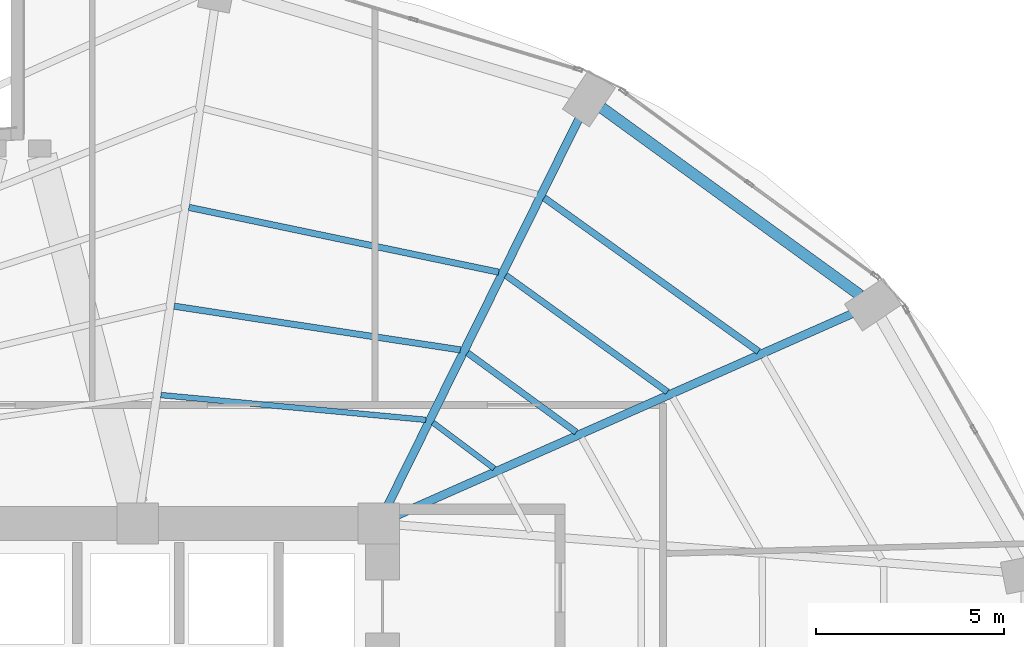
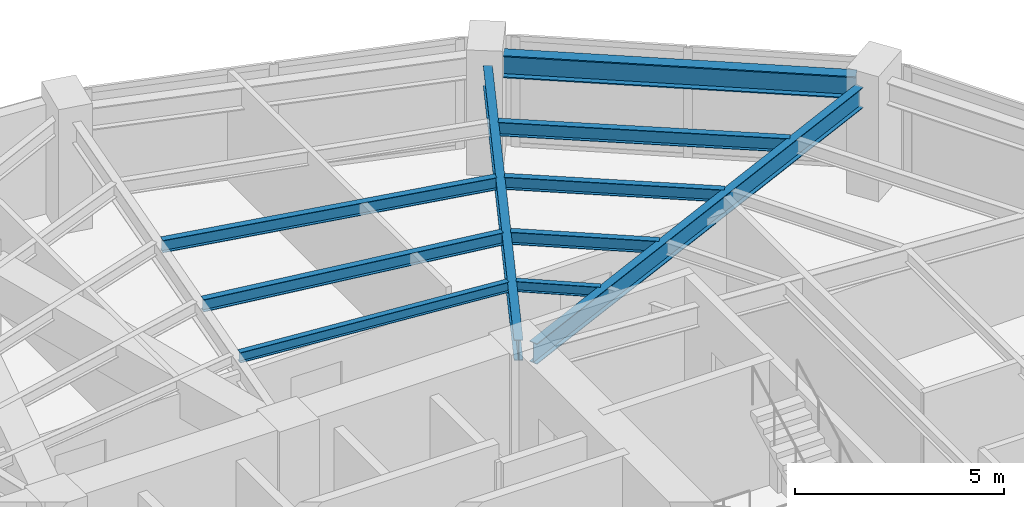
# One storey, part 16 of 24: 10 beams.
"""IFC4 building model written with IfcOpenShell, lengths in metres."""

from ifc_helpers import new_model, si_unit, direction, frame, origin, origin_2d, place, context, subcontext, project, spatial, i_section, extrude, material, material_profile, profile_set, type_object, element, save


model = new_model("IFC4")

# Units and contexts
model_context = context("Model", 3, precision=1e-05, world=origin(), true_north=direction((0.0, 1.0)))
body_context = subcontext(model_context, "Body", "Model", "MODEL_VIEW")
ifc_project = project(units=[si_unit("LENGTHUNIT", "METRE"), si_unit("AREAUNIT", "SQUARE_METRE"), si_unit("VOLUMEUNIT", "CUBIC_METRE"), si_unit("PLANEANGLEUNIT", "RADIAN"), si_unit("MASSUNIT", "GRAM", prefix="KILO")], contexts=[model_context])

# Site, building, storey
site_placement = place(None, origin())
site = spatial("IfcSite", under=ifc_project, at=site_placement, CompositionType="ELEMENT")
building_placement = place(site_placement, origin())
building = spatial("IfcBuilding", under=site, at=building_placement, Name="Lazwardi Medical Tower", CompositionType="ELEMENT")
storey_placement = place(building_placement, frame((0.0, 0.0, 72.6240234375)))
storey = spatial("IfcBuildingStorey", under=building, at=storey_placement, Name="L18", CompositionType="ELEMENT", Elevation=72.6240234375)

# Beams
ifc_material = material(Name="Steel S355", Category="steel")
ifc_material_profile_1 = material_profile(ifc_material, i_section(OverallWidth=0.300048828125, OverallDepth=0.64990234375, WebThickness=0.01611328125, FlangeThickness=0.031005859375, at=origin_2d()), Name="HEB 650")
ifc_profile_set_1 = profile_set([ifc_material_profile_1], Name="Steel S355")
beam_type_1 = type_object("IfcBeamType", Name="BM-RB-Z1", PredefinedType="BEAM", material=ifc_profile_set_1)
beam_1_placement = place(storey_placement, frame((58.3798828125, 41.660888671875, 2.873046875), z_axis=(-0.809407079515, 0.587247971159, 0.0), x_axis=(-0.587247971159, -0.809407079515, 0.0)))
element("IfcBeam", 1, at=beam_1_placement, inside=storey, type_object=beam_type_1, Name="Ring beam RB-02 B06 L18", PredefinedType="BEAM", context=body_context, shape_type="SweptSolid", body=[
    extrude(i_section(OverallWidth=0.300048828125, OverallDepth=0.64990234375, WebThickness=0.01611328125, FlangeThickness=0.031005859375, at=origin_2d()), origin(), (0.0, 0.0, 1.0), 8.473876953125),
])
ifc_material_profile_2 = material_profile(ifc_material, i_section(OverallWidth=0.219970703125, OverallDepth=0.60009765625, WebThickness=0.011962890625, FlangeThickness=0.01904296875, at=origin_2d()), Name="IPE 600")
ifc_profile_set_2 = profile_set([ifc_material_profile_2], Name="Steel S355")
beam_type_2 = type_object("IfcBeamType", Name="BM-RG-W1", PredefinedType="BEAM", material=ifc_profile_set_2)
beam_2_placement = place(storey_placement, frame((58.189697265625, 41.17919921875, 2.89794921875), z_axis=(-0.914252189566, -0.405145571214, 0.0), x_axis=(0.405145571214, -0.914252189566, 0.0)))
element("IfcBeam", 2, at=beam_2_placement, inside=storey, type_object=beam_type_2, Name="Radial girder RG-02 R06 L18", PredefinedType="BEAM", context=body_context, shape_type="SweptSolid", body=[
    extrude(i_section(OverallWidth=0.219970703125, OverallDepth=0.60009765625, WebThickness=0.011962890625, FlangeThickness=0.01904296875, at=origin_2d()), origin(), (0.0, 0.0, 1.0), 13.235595703125),
])
beam_3_placement = place(storey_placement, frame((50.923828125, 46.364013671875, 2.89794921875), z_axis=(-0.443336723706, -0.896355146922, 0.0), x_axis=(0.896355146922, -0.443336723706, 0.0)))
element("IfcBeam", 3, at=beam_3_placement, inside=storey, type_object=beam_type_2, Name="Radial girder RG-02 R07 L18", PredefinedType="BEAM", context=body_context, shape_type="SweptSolid", body=[
    extrude(i_section(OverallWidth=0.219970703125, OverallDepth=0.60009765625, WebThickness=0.011962890625, FlangeThickness=0.01904296875, at=origin_2d()), origin(), (0.0, 0.0, 1.0), 11.4736328125),
])
ifc_material_profile_3 = material_profile(ifc_material, i_section(OverallWidth=0.179931640625, OverallDepth=0.39990234375, WebThickness=0.008544921875, FlangeThickness=0.013427734375, at=origin_2d()), Name="IPE 400")
ifc_profile_set_3 = profile_set([ifc_material_profile_3], Name="Steel S355")
beam_type_3 = type_object("IfcBeamType", Name="BM-SJ-01", PredefinedType="JOIST", material=ifc_profile_set_3)
beam_4_placement = place(storey_placement, frame((55.68408203125, 40.16796875, 2.998046875), z_axis=(-0.812901036873, 0.582401840872, 0.0), x_axis=(-0.582401840872, -0.812901036873, 0.0)))
element("IfcBeam", 4, at=beam_4_placement, inside=storey, type_object=beam_type_3, Name="Secondary joist SJ-01 R1 B06 L18", PredefinedType="JOIST", context=body_context, shape_type="SweptSolid", body=[
    extrude(i_section(OverallWidth=0.179931640625, OverallDepth=0.39990234375, WebThickness=0.008544921875, FlangeThickness=0.013427734375, at=origin_2d()), origin(), (0.0, 0.0, 1.0), 7.002197265625),
])
ifc_material_profile_4 = material_profile(ifc_material, i_section(OverallWidth=0.169921875, OverallDepth=0.360107421875, WebThickness=0.008056640625, FlangeThickness=0.0126953125, at=origin_2d()), Name="IPE 360")
ifc_profile_set_4 = profile_set([ifc_material_profile_4], Name="Steel S355")
beam_type_4 = type_object("IfcBeamType", Name="BM-SJ-02", PredefinedType="JOIST", material=ifc_profile_set_4)
beam_5_placement = place(storey_placement, frame((53.26416015625, 39.095703125, 3.01806640625), z_axis=(-0.811142764961, 0.584848198127, 0.0), x_axis=(-0.584848198127, -0.811142764961, 0.0)))
element("IfcBeam", 5, at=beam_5_placement, inside=storey, type_object=beam_type_4, Name="Secondary joist SJ-02 R2 B06 L18", PredefinedType="JOIST", context=body_context, shape_type="SweptSolid", body=[
    extrude(i_section(OverallWidth=0.169921875, OverallDepth=0.360107421875, WebThickness=0.008056640625, FlangeThickness=0.0126953125, at=origin_2d()), origin(), (0.0, 0.0, 1.0), 5.28857421875),
])
beam_6_placement = place(storey_placement, frame((48.786376953125, 42.271728515625, 3.01806640625), z_axis=(-0.978809182847, 0.204774470026, 0.0), x_axis=(-0.204774470026, -0.978809182847, 0.0)))
element("IfcBeam", 6, at=beam_6_placement, inside=storey, type_object=beam_type_4, Name="Secondary joist SJ-02 R2 B07 L18", PredefinedType="JOIST", context=body_context, shape_type="SweptSolid", body=[
    extrude(i_section(OverallWidth=0.169921875, OverallDepth=0.360107421875, WebThickness=0.008056640625, FlangeThickness=0.0126953125, at=origin_2d()), origin(), (0.0, 0.0, 1.0), 8.40283203125),
])
beam_7_placement = place(storey_placement, frame((50.844482421875, 38.023681640625, 3.01806640625), z_axis=(-0.80770129933, 0.589591902132, 0.0), x_axis=(-0.589591902132, -0.80770129933, 0.0)))
element("IfcBeam", 7, at=beam_7_placement, inside=storey, type_object=beam_type_4, Name="Secondary joist SJ-02 R3 B06 L18", PredefinedType="JOIST", context=body_context, shape_type="SweptSolid", body=[
    extrude(i_section(OverallWidth=0.169921875, OverallDepth=0.360107421875, WebThickness=0.008056640625, FlangeThickness=0.0126953125, at=origin_2d()), origin(), (0.0, 0.0, 1.0), 3.5751953125),
])
beam_8_placement = place(storey_placement, frame((47.76806640625, 40.209228515625, 3.01806640625), z_axis=(-0.988535611365, 0.150987897074, 0.0), x_axis=(-0.150987897074, -0.988535611365, 0.0)))
element("IfcBeam", 8, at=beam_8_placement, inside=storey, type_object=beam_type_4, Name="Secondary joist SJ-02 R3 B07 L18", PredefinedType="JOIST", context=body_context, shape_type="SweptSolid", body=[
    extrude(i_section(OverallWidth=0.169921875, OverallDepth=0.360107421875, WebThickness=0.008056640625, FlangeThickness=0.0126953125, at=origin_2d()), origin(), (0.0, 0.0, 1.0), 7.68701171875),
])
ifc_material_profile_5 = material_profile(ifc_material, i_section(OverallWidth=0.14990234375, OverallDepth=0.300048828125, WebThickness=0.007080078125, FlangeThickness=0.0107421875, at=origin_2d()), Name="IPE 300")
ifc_profile_set_5 = profile_set([ifc_material_profile_5], Name="Steel S355")
beam_type_5 = type_object("IfcBeamType", Name="BM-SJ-03", PredefinedType="JOIST", material=ifc_profile_set_5)
beam_9_placement = place(storey_placement, frame((48.667236328125, 37.0595703125, 3.048095703125), z_axis=(-0.800115247939, 0.599846305328, 0.0), x_axis=(-0.599846305328, -0.800115247939, 0.0)))
element("IfcBeam", 9, at=beam_9_placement, inside=storey, type_object=beam_type_5, Name="Secondary joist SJ-03 R4 B06 L18", PredefinedType="JOIST", context=body_context, shape_type="SweptSolid", body=[
    extrude(i_section(OverallWidth=0.14990234375, OverallDepth=0.300048828125, WebThickness=0.007080078125, FlangeThickness=0.0107421875, at=origin_2d()), origin(), (0.0, 0.0, 1.0), 2.033447265625),
])
beam_10_placement = place(storey_placement, frame((46.851806640625, 38.35205078125, 3.048095703125), z_axis=(-0.995649263748, 0.093180167407, 0.0), x_axis=(-0.093180167407, -0.995649263748, 0.0)))
element("IfcBeam", 10, at=beam_10_placement, inside=storey, type_object=beam_type_5, Name="Secondary joist SJ-03 R4 B07 L18", PredefinedType="JOIST", context=body_context, shape_type="SweptSolid", body=[
    extrude(i_section(OverallWidth=0.14990234375, OverallDepth=0.300048828125, WebThickness=0.007080078125, FlangeThickness=0.0107421875, at=origin_2d()), origin(), (0.0, 0.0, 1.0), 7.06640625),
])

save(model, "model.ifc")
